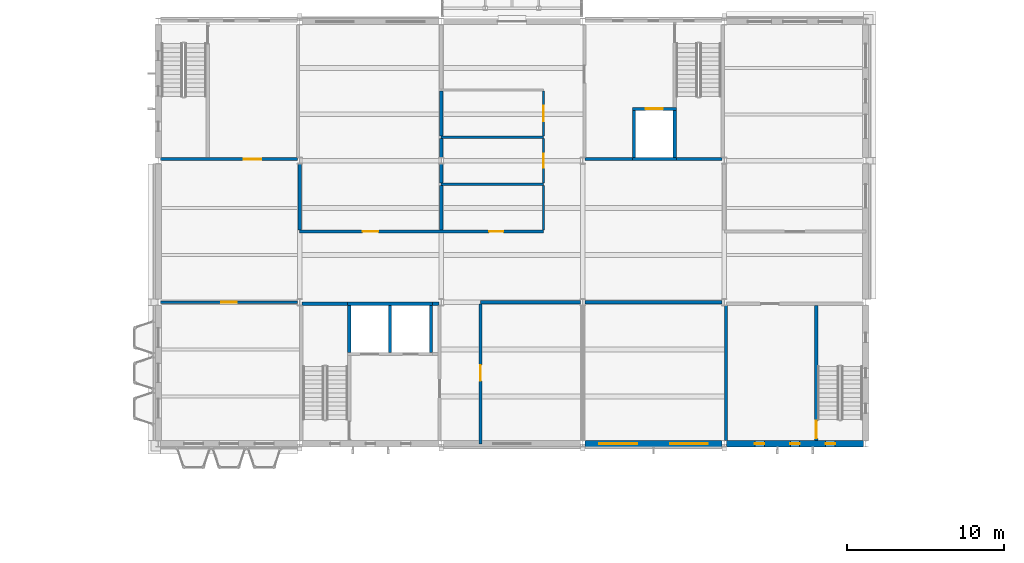
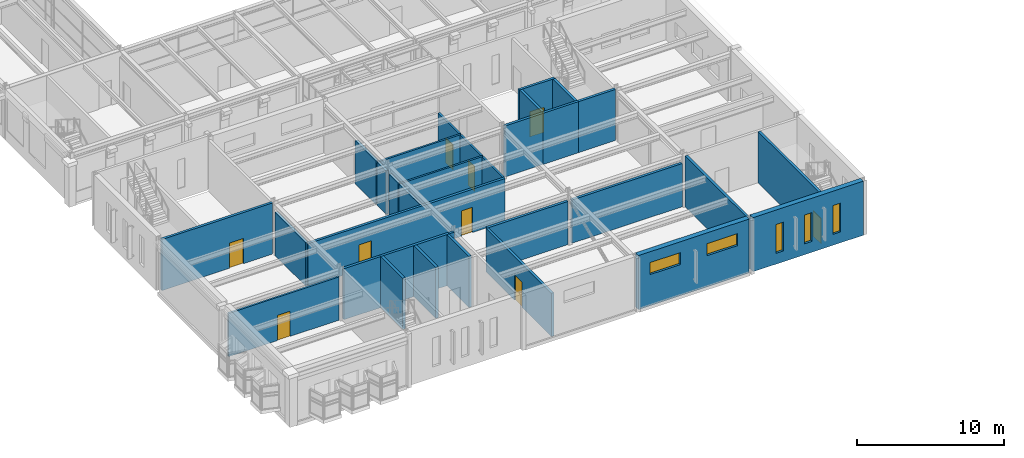
# One storey, part 95 of 153: 32 walls, 9 doors, 5 windows, 14 openings.
"""IFC4 building model written with IfcOpenShell, lengths in metres."""

from ifc_helpers import new_model, si_unit, direction, frame, frame_2d, origin, place, context, subcontext, project, spatial, rectangle, extrude, material, layer, layer_set, type_object, element, fill, save


model = new_model("IFC4")

# Units and contexts
model_context = context("Model", 3, precision=1e-05, world=origin(), true_north=direction((0.0, 1.0)))
body_context = subcontext(model_context, "Body", "Model", "MODEL_VIEW")
ifc_project = project(units=[si_unit("LENGTHUNIT", "METRE"), si_unit("AREAUNIT", "SQUARE_METRE"), si_unit("VOLUMEUNIT", "CUBIC_METRE"), si_unit("PLANEANGLEUNIT", "RADIAN"), si_unit("MASSUNIT", "GRAM", prefix="KILO")], contexts=[model_context])

# Site, building, storey
site_placement = place(None, origin())
site = spatial("IfcSite", under=ifc_project, at=site_placement, CompositionType="ELEMENT")
building_placement = place(site_placement, origin())
building = spatial("IfcBuilding", under=site, at=building_placement, Name="Kallimachos Central Library", CompositionType="ELEMENT")
storey_placement = place(building_placement, frame((0.0, 0.0, 5.39990234375)))
storey = spatial("IfcBuildingStorey", under=building, at=storey_placement, Name="L01", CompositionType="ELEMENT", Elevation=5.39990234375)

# Walls
ifc_material_1 = material(Name="Concrete C30/37", Category="concrete")
ifc_layer_1 = layer(ifc_material_1, 0.199951171875)
ifc_layer_set_1 = layer_set([ifc_layer_1], Name="Compartment wall 200")
wall_type_1 = type_object("IfcWallType", Name="Compartment wall 200", PredefinedType="SOLIDWALL", material=ifc_layer_set_1)
wall_1_placement = place(storey_placement, frame((86.0, 27.0, 0.0), z_axis=(0.0, 0.0, 1.0), x_axis=(1.0, 0.0, 0.0)))
element("IfcWall", 1, at=wall_1_placement, inside=storey, type_object=wall_type_1, Name="V5-WAL-L01-044", PredefinedType="SOLIDWALL", context=body_context, shape_type="SweptSolid", body=[
    extrude(rectangle(XDim=6.346435546875, YDim=0.199951171875, at=frame_2d((3.17333984375, 0.0))), origin(), (0.0, 0.0, 1.0), 3.60009765625),
])
wall_2_placement = place(storey_placement, frame((92.653564453125, 27.0, 0.0), z_axis=(0.0, 0.0, 1.0), x_axis=(1.0, 0.0, 0.0)))
element("IfcWall", 2, at=wall_2_placement, inside=storey, type_object=wall_type_1, Name="V5-WAL-L01-045", PredefinedType="SOLIDWALL", context=body_context, shape_type="SweptSolid", body=[
    extrude(rectangle(XDim=8.69287109375, YDim=0.199951171875, at=frame_2d((4.346435546875, 0.0))), origin(), (0.0, 0.0, 1.0), 3.60009765625),
])

# Wall, openings, doors
wall_3_placement = place(storey_placement, frame((74.5, 31.5, 0.0), z_axis=(0.0, 0.0, 1.0), x_axis=(1.0, 0.0, 0.0)))
wall_3 = element("IfcWall", 3, at=wall_3_placement, inside=storey, type_object=wall_type_1, Name="V5-WAL-L01-046", PredefinedType="SOLIDWALL", context=body_context, shape_type="SweptSolid", body=[
    extrude(rectangle(XDim=15.5, YDim=0.199951171875, at=frame_2d((7.75, 0.0))), origin(), (0.0, 0.0, 1.0), 3.60009765625),
])
opening_1_placement = place(wall_3_placement, frame((4.0, 0.0, 0.0)))
opening_1 = element("IfcOpeningElement", 4, at=opening_1_placement, cuts=wall_3, Name="Opening D104", PredefinedType="OPENING", context=body_context, shape_type="SweptSolid", body=[
    extrude(rectangle(XDim=1.0, YDim=2.10009765625, at=frame_2d((0.5, 1.050048828125))), frame((0.0, 0.10986328125, 0.0), z_axis=(0.0, -1.0, 0.0), x_axis=(1.0, 0.0, 0.0)), (0.0, 0.0, 1.0), 0.219970703125),
])
opening_2_placement = place(wall_3_placement, frame((12.050048828125, 0.0, 0.0)))
opening_2 = element("IfcOpeningElement", 5, at=opening_2_placement, cuts=wall_3, Name="Opening D105", PredefinedType="OPENING", context=body_context, shape_type="SweptSolid", body=[
    extrude(rectangle(XDim=0.89990234375, YDim=2.10009765625, at=frame_2d((0.449951171875, 1.050048828125))), frame((0.0, 0.10986328125, 0.0), z_axis=(0.0, -1.0, 0.0), x_axis=(1.0, 0.0, 0.0)), (0.0, 0.0, 1.0), 0.219970703125),
])
ifc_material_2 = material(Name="Steel fire door", Category="steel")
door_type_1 = type_object("IfcDoorType", Name="Fire door EI2 90 1000 x 2100", OperationType="NOTDEFINED", PredefinedType="DOOR", material=ifc_material_2)
door_1_placement = place(opening_1_placement, origin())
door_1 = element("IfcDoor", 6, at=door_1_placement, inside=storey, type_object=door_type_1, Name="Digitisation Room 1 door", OperationType="SINGLE_SWING_RIGHT", OverallHeight=2.10009765625, OverallWidth=1.0, PredefinedType="DOOR", context=body_context, shape_type="SweptSolid", body=[
    extrude(rectangle(XDim=1.0, YDim=2.10009765625, at=frame_2d((0.5, 1.050048828125))), frame((0.0, 0.02490234375, 0.0), z_axis=(0.0, -1.0, 0.0), x_axis=(1.0, 0.0, 0.0)), (0.0, 0.0, 1.0), 0.050048828125),
])
fill(opening_1, door_1)
ifc_material_3 = material(Name="Steel fire door", Category="steel")
door_type_2 = type_object("IfcDoorType", Name="Fire door EI2 90 900 x 2100", OperationType="NOTDEFINED", PredefinedType="DOOR", material=ifc_material_3)
door_2_placement = place(opening_2_placement, origin())
door_2 = element("IfcDoor", 7, at=door_2_placement, inside=storey, type_object=door_type_2, Name="Men's WC door", OperationType="SINGLE_SWING_LEFT", OverallHeight=2.10009765625, OverallWidth=0.89990234375, PredefinedType="DOOR", context=body_context, shape_type="SweptSolid", body=[
    extrude(rectangle(XDim=0.89990234375, YDim=2.10009765625, at=frame_2d((0.449951171875, 1.050048828125))), frame((0.0, 0.02490234375, 0.0), z_axis=(0.0, -1.0, 0.0), x_axis=(1.0, 0.0, 0.0)), (0.0, 0.0, 1.0), 0.050048828125),
])
fill(opening_2, door_2)

# Walls
wall_4_placement = place(storey_placement, frame((74.5, 31.60009765625, 0.0), z_axis=(0.0, 0.0, 1.0), x_axis=(0.0, 1.0, 0.0)))
element("IfcWall", 8, at=wall_4_placement, inside=storey, type_object=wall_type_1, Name="V5-WAL-L01-051", PredefinedType="SOLIDWALL", context=body_context, shape_type="SweptSolid", body=[
    extrude(rectangle(XDim=4.183837890625, YDim=0.199951171875, at=frame_2d((2.091796875, 0.0))), origin(), (0.0, 0.0, 1.0), 3.60009765625),
])
wall_5_placement = place(storey_placement, frame((83.5, 31.60009765625, 0.0), z_axis=(0.0, 0.0, 1.0), x_axis=(0.0, 1.0, 0.0)))
element("IfcWall", 9, at=wall_5_placement, inside=storey, type_object=wall_type_1, Name="V5-WAL-L01-052", PredefinedType="SOLIDWALL", context=body_context, shape_type="SweptSolid", body=[
    extrude(rectangle(XDim=2.824951171875, YDim=0.199951171875, at=frame_2d((1.41259765625, 0.0))), origin(), (0.0, 0.0, 1.0), 3.60009765625),
])
for number, where, z_axis, x_axis, name in (
    (10, (83.5, 34.574951171875, 0.0), (0.0, 0.0, 1.0), (0.0, 1.0, 0.0), "V5-WAL-L01-053"),
    (11, (83.5, 36.216064453125, 0.0), (0.0, 0.0, 1.0), (0.0, 1.0, 0.0), "V5-WAL-L01-054"),
):
    element("IfcWall", number, at=place(storey_placement, frame(where, z_axis=z_axis, x_axis=x_axis)), inside=storey, type_object=wall_type_1, Name=name, PredefinedType="SOLIDWALL", context=body_context, shape_type="SweptSolid", body=[
        extrude(rectangle(XDim=1.208984375, YDim=0.199951171875, at=frame_2d((0.6044921875, 0.0))), origin(), (0.0, 0.0, 1.0), 3.60009765625),
    ])
wall_6_placement = place(storey_placement, frame((83.5, 37.574951171875, 0.0), z_axis=(0.0, 0.0, 1.0), x_axis=(0.0, 1.0, 0.0)))
element("IfcWall", 12, at=wall_6_placement, inside=storey, type_object=wall_type_1, Name="V5-WAL-L01-055", PredefinedType="SOLIDWALL", context=body_context, shape_type="SweptSolid", body=[
    extrude(rectangle(XDim=2.85009765625, YDim=0.199951171875, at=frame_2d((1.425048828125, 0.0))), origin(), (0.0, 0.0, 1.0), 3.60009765625),
])

# Wall, opening, door
wall_7_placement = place(storey_placement, frame((86.0, 18.0, 0.0), z_axis=(0.0, 0.0, 1.0), x_axis=(0.0, 1.0, 0.0)))
wall_7 = element("IfcWall", 13, at=wall_7_placement, inside=storey, type_object=wall_type_1, Name="V5-WAL-L01-057", PredefinedType="SOLIDWALL", context=body_context, shape_type="SweptSolid", body=[
    extrude(rectangle(XDim=8.89990234375, YDim=0.199951171875, at=frame_2d((4.449951171875, 0.0))), origin(), (0.0, 0.0, 1.0), 3.60009765625),
])
opening_3_placement = place(wall_7_placement, frame((4.0, 0.0, 0.0)))
opening_3 = element("IfcOpeningElement", 14, at=opening_3_placement, cuts=wall_7, Name="Opening D103", PredefinedType="OPENING", context=body_context, shape_type="SweptSolid", body=[
    extrude(rectangle(XDim=1.0, YDim=2.10009765625, at=frame_2d((0.5, 1.050048828125))), frame((0.0, 0.10986328125, 0.0), z_axis=(0.0, -1.0, 0.0), x_axis=(1.0, 0.0, 0.0)), (0.0, 0.0, 1.0), 0.219970703125),
])
door_3_placement = place(opening_3_placement, frame((1.0, 0.0, 0.0), z_axis=(0.0, 0.0, 1.0), x_axis=(-1.0, 0.0, 0.0)))
door_3 = element("IfcDoor", 15, at=door_3_placement, inside=storey, type_object=door_type_1, Name="Conservation Workshop door", OperationType="SINGLE_SWING_LEFT", OverallHeight=2.10009765625, OverallWidth=1.0, PredefinedType="DOOR", context=body_context, shape_type="SweptSolid", body=[
    extrude(rectangle(XDim=1.0, YDim=2.10009765625, at=frame_2d((0.5, 1.050048828125))), frame((0.0, 0.02490234375, 0.0), z_axis=(0.0, -1.0, 0.0), x_axis=(1.0, 0.0, 0.0)), (0.0, 0.0, 1.0), 0.050048828125),
])
fill(opening_3, door_3)

# Walls
ifc_material_4 = material(Name="Concrete C30/37", Category="concrete")
ifc_layer_2 = layer(ifc_material_4, 0.199951171875)
ifc_layer_set_2 = layer_set([ifc_layer_2], Name="Core wall 200")
wall_type_2 = type_object("IfcWallType", Name="Core wall 200", PredefinedType="SOLIDWALL", material=ifc_layer_set_2)
wall_8_placement = place(storey_placement, frame((74.653564453125, 26.89990234375, 0.0), z_axis=(0.0, 0.0, 1.0), x_axis=(1.0, 0.0, 0.0)))
element("IfcWall", 16, at=wall_8_placement, inside=storey, type_object=wall_type_2, Name="V5-WAL-L01-026", PredefinedType="SOLIDWALL", context=body_context, shape_type="SweptSolid", body=[
    extrude(rectangle(XDim=2.896484375, YDim=0.199951171875, at=frame_2d((1.4482421875, 0.0))), origin(), (0.0, 0.0, 1.0), 4.25),
])
wall_9_placement = place(storey_placement, frame((82.949951171875, 26.89990234375, 0.0), z_axis=(0.0, 0.0, 1.0), x_axis=(1.0, 0.0, 0.0)))
element("IfcWall", 17, at=wall_9_placement, inside=storey, type_object=wall_type_2, Name="V5-WAL-L01-027", PredefinedType="SOLIDWALL", context=body_context, shape_type="SweptSolid", body=[
    extrude(rectangle(XDim=0.396484375, YDim=0.199951171875, at=frame_2d((0.1982421875, 0.0))), origin(), (0.0, 0.0, 1.0), 4.25),
])
wall_10_placement = place(storey_placement, frame((92.653564453125, 36.10009765625, 0.0), z_axis=(0.0, 0.0, 1.0), x_axis=(1.0, 0.0, 0.0)))
element("IfcWall", 18, at=wall_10_placement, inside=storey, type_object=wall_type_2, Name="V5-WAL-L01-032", PredefinedType="SOLIDWALL", context=body_context, shape_type="SweptSolid", body=[
    extrude(rectangle(XDim=2.996337890625, YDim=0.199951171875, at=frame_2d((1.498046875, 0.0))), origin(), (0.0, 0.0, 1.0), 4.25),
])
wall_11_placement = place(storey_placement, frame((98.449951171875, 36.10009765625, 0.0), z_axis=(0.0, 0.0, 1.0), x_axis=(1.0, 0.0, 0.0)))
element("IfcWall", 19, at=wall_11_placement, inside=storey, type_object=wall_type_2, Name="V5-WAL-L01-033", PredefinedType="SOLIDWALL", context=body_context, shape_type="SweptSolid", body=[
    extrude(rectangle(XDim=2.896484375, YDim=0.199951171875, at=frame_2d((1.4482421875, 0.0))), origin(), (0.0, 0.0, 1.0), 4.25),
])

# Wall, opening, door
wall_12_placement = place(storey_placement, frame((65.64990234375, 36.10009765625, 0.0), z_axis=(0.0, 0.0, 1.0), x_axis=(1.0, 0.0, 0.0)))
wall_12 = element("IfcWall", 20, at=wall_12_placement, inside=storey, type_object=wall_type_2, Name="V5-WAL-L01-037", PredefinedType="SOLIDWALL", context=body_context, shape_type="SweptSolid", body=[
    extrude(rectangle(XDim=8.696533203125, YDim=0.199951171875, at=frame_2d((4.34814453125, 0.0))), origin(), (0.0, 0.0, 1.0), 4.25),
])
opening_4_placement = place(wall_12_placement, frame((5.300048828125, 0.0, 0.0)))
opening_4 = element("IfcOpeningElement", 21, at=opening_4_placement, cuts=wall_12, Name="Opening D99", PredefinedType="OPENING", context=body_context, shape_type="SweptSolid", body=[
    extrude(rectangle(XDim=1.10009765625, YDim=2.10009765625, at=frame_2d((0.550048828125, 1.050048828125))), frame((0.0, 0.10986328125, 0.0), z_axis=(0.0, -1.0, 0.0), x_axis=(1.0, 0.0, 0.0)), (0.0, 0.0, 1.0), 0.219970703125),
])
ifc_material_5 = material(Name="Steel fire door", Category="steel")
door_type_3 = type_object("IfcDoorType", Name="Fire door EI2 90 1100 x 2100", OperationType="NOTDEFINED", PredefinedType="DOOR", material=ifc_material_5)
door_4_placement = place(opening_4_placement, origin())
door_4 = element("IfcDoor", 22, at=door_4_placement, inside=storey, type_object=door_type_3, Name="ST15 lobby door L01", OperationType="SINGLE_SWING_RIGHT", OverallHeight=2.10009765625, OverallWidth=1.10009765625, PredefinedType="DOOR", context=body_context, shape_type="SweptSolid", body=[
    extrude(rectangle(XDim=1.10009765625, YDim=2.10009765625, at=frame_2d((0.550048828125, 1.050048828125))), frame((0.0, 0.02490234375, 0.0), z_axis=(0.0, -1.0, 0.0), x_axis=(1.0, 0.0, 0.0)), (0.0, 0.0, 1.0), 0.050048828125),
])
fill(opening_4, door_4)

# Wall
wall_13_placement = place(storey_placement, frame((101.60009765625, 18.199951171875, 0.0), z_axis=(0.0, 0.0, 1.0), x_axis=(0.0, 1.0, 0.0)))
element("IfcWall", 23, at=wall_13_placement, inside=storey, type_object=wall_type_2, Name="V5-WAL-L01-041", PredefinedType="SOLIDWALL", context=body_context, shape_type="SweptSolid", body=[
    extrude(rectangle(XDim=8.583984375, YDim=0.199951171875, at=frame_2d((4.2919921875, 0.0))), origin(), (0.0, 0.0, 1.0), 4.25),
])

# Wall, opening, door
wall_14_placement = place(storey_placement, frame((107.35009765625, 18.199951171875, 0.0), z_axis=(0.0, 0.0, 1.0), x_axis=(0.0, 1.0, 0.0)))
wall_14 = element("IfcWall", 24, at=wall_14_placement, inside=storey, type_object=wall_type_2, Name="V5-WAL-L01-042", PredefinedType="SOLIDWALL", context=body_context, shape_type="SweptSolid", body=[
    extrude(rectangle(XDim=8.60009765625, YDim=0.199951171875, at=frame_2d((4.300048828125, 0.0))), origin(), (0.0, 0.0, 1.0), 4.25),
])
opening_5_placement = place(wall_14_placement, frame((0.14990234375, 0.0, 0.0)))
opening_5 = element("IfcOpeningElement", 25, at=opening_5_placement, cuts=wall_14, Name="Opening D100", PredefinedType="OPENING", context=body_context, shape_type="SweptSolid", body=[
    extrude(rectangle(XDim=1.10009765625, YDim=2.10009765625, at=frame_2d((0.550048828125, 1.050048828125))), frame((0.0, 0.10986328125, 0.0), z_axis=(0.0, -1.0, 0.0), x_axis=(1.0, 0.0, 0.0)), (0.0, 0.0, 1.0), 0.219970703125),
])
door_5_placement = place(opening_5_placement, frame((1.10009765625, 0.0, 0.0), z_axis=(0.0, 0.0, 1.0), x_axis=(-1.0, 0.0, 0.0)))
door_5 = element("IfcDoor", 26, at=door_5_placement, inside=storey, type_object=door_type_3, Name="ST16 stair door L01", OperationType="SINGLE_SWING_LEFT", OverallHeight=2.10009765625, OverallWidth=1.10009765625, PredefinedType="DOOR", context=body_context, shape_type="SweptSolid", body=[
    extrude(rectangle(XDim=1.10009765625, YDim=2.10009765625, at=frame_2d((0.550048828125, 1.050048828125))), frame((0.0, 0.02490234375, 0.0), z_axis=(0.0, -1.0, 0.0), x_axis=(1.0, 0.0, 0.0)), (0.0, 0.0, 1.0), 0.050048828125),
])
fill(opening_5, door_5)

ifc_material_6 = material(Name="Gypsum board partition")
ifc_layer_3 = layer(ifc_material_6, 0.14990234375)
ifc_layer_set_3 = layer_set([ifc_layer_3], Name="Fire-resisting partition 150")
wall_type_3 = type_object("IfcWallType", Name="Fire-resisting partition 150", PredefinedType="PARTITIONING", material=ifc_layer_set_3)
wall_15_placement = place(storey_placement, frame((65.64990234375, 27.0, 0.0), z_axis=(0.0, 0.0, 1.0), x_axis=(1.0, 0.0, 0.0)))
wall_15 = element("IfcWall", 27, at=wall_15_placement, inside=storey, type_object=wall_type_3, Name="V5-WAL-L01-043", PredefinedType="PARTITIONING", context=body_context, shape_type="SweptSolid", body=[
    extrude(rectangle(XDim=8.696533203125, YDim=0.14990234375, at=frame_2d((4.34814453125, 0.0))), origin(), (0.0, 0.0, 1.0), 3.60009765625),
])
opening_6_placement = place(wall_15_placement, frame((3.85009765625, 0.0, 0.0)))
opening_6 = element("IfcOpeningElement", 28, at=opening_6_placement, cuts=wall_15, Name="Opening D102", PredefinedType="OPENING", context=body_context, shape_type="SweptSolid", body=[
    extrude(rectangle(XDim=1.0, YDim=2.10009765625, at=frame_2d((0.5, 1.050048828125))), frame((0.0, 0.0849609375, 0.0), z_axis=(0.0, -1.0, 0.0), x_axis=(1.0, 0.0, 0.0)), (0.0, 0.0, 1.0), 0.169921875),
])
ifc_material_7 = material(Name="Steel fire door", Category="steel")
door_type_4 = type_object("IfcDoorType", Name="Fire door EI2 30 1000 x 2100", OperationType="NOTDEFINED", PredefinedType="DOOR", material=ifc_material_7)
door_6_placement = place(opening_6_placement, frame((1.0, 0.0, 0.0), z_axis=(0.0, 0.0, 1.0), x_axis=(-1.0, 0.0, 0.0)))
door_6 = element("IfcDoor", 29, at=door_6_placement, inside=storey, type_object=door_type_4, Name="Staff Room door", OperationType="SINGLE_SWING_LEFT", OverallHeight=2.10009765625, OverallWidth=1.0, PredefinedType="DOOR", context=body_context, shape_type="SweptSolid", body=[
    extrude(rectangle(XDim=1.0, YDim=2.10009765625, at=frame_2d((0.5, 1.050048828125))), frame((0.0, 0.02490234375, 0.0), z_axis=(0.0, -1.0, 0.0), x_axis=(1.0, 0.0, 0.0)), (0.0, 0.0, 1.0), 0.050048828125),
])
fill(opening_6, door_6)

# Walls
for number, where, z_axis, x_axis, name in (
    (30, (83.5, 34.5, 0.0), (0.0, 0.0, 1.0), (1.0, 0.0, 0.0), "V5-WAL-L01-048"),
    (31, (83.5, 37.5, 0.0), (0.0, 0.0, 1.0), (1.0, 0.0, 0.0), "V5-WAL-L01-049"),
):
    element("IfcWall", number, at=place(storey_placement, frame(where, z_axis=z_axis, x_axis=x_axis)), inside=storey, type_object=wall_type_3, Name=name, PredefinedType="PARTITIONING", context=body_context, shape_type="SweptSolid", body=[
        extrude(rectangle(XDim=6.5, YDim=0.14990234375, at=frame_2d((3.25, 0.0))), origin(), (0.0, 0.0, 1.0), 3.60009765625),
    ])
wall_16_placement = place(storey_placement, frame((90.0, 31.60009765625, 0.0), z_axis=(0.0, 0.0, 1.0), x_axis=(0.0, 1.0, 0.0)))
element("IfcWall", 32, at=wall_16_placement, inside=storey, type_object=wall_type_3, Name="V5-WAL-L01-058", PredefinedType="PARTITIONING", context=body_context, shape_type="SweptSolid", body=[
    extrude(rectangle(XDim=2.824951171875, YDim=0.14990234375, at=frame_2d((1.41259765625, 0.0))), origin(), (0.0, 0.0, 1.0), 3.60009765625),
])

# Wall, opening, door
wall_17_placement = place(storey_placement, frame((90.0, 34.574951171875, 0.0), z_axis=(0.0, 0.0, 1.0), x_axis=(0.0, 1.0, 0.0)))
wall_17 = element("IfcWall", 33, at=wall_17_placement, inside=storey, type_object=wall_type_3, Name="V5-WAL-L01-059", PredefinedType="PARTITIONING", context=body_context, shape_type="SweptSolid", body=[
    extrude(rectangle(XDim=2.85009765625, YDim=0.14990234375, at=frame_2d((1.425048828125, 0.0))), origin(), (0.0, 0.0, 1.0), 3.60009765625),
])
opening_7_placement = place(wall_17_placement, frame((0.97509765625, 0.0, 0.0)))
opening_7 = element("IfcOpeningElement", 34, at=opening_7_placement, cuts=wall_17, Name="Opening D106", PredefinedType="OPENING", context=body_context, shape_type="SweptSolid", body=[
    extrude(rectangle(XDim=0.89990234375, YDim=2.10009765625, at=frame_2d((0.449951171875, 1.050048828125))), frame((0.0, 0.0849609375, 0.0), z_axis=(0.0, -1.0, 0.0), x_axis=(1.0, 0.0, 0.0)), (0.0, 0.0, 1.0), 0.169921875),
])
ifc_material_8 = material(Name="Steel fire door", Category="steel")
door_type_5 = type_object("IfcDoorType", Name="Fire door EI2 30 900 x 2100", OperationType="NOTDEFINED", PredefinedType="DOOR", material=ifc_material_8)
door_7_placement = place(opening_7_placement, origin())
door_7 = element("IfcDoor", 35, at=door_7_placement, inside=storey, type_object=door_type_5, Name="Women's WC door", OperationType="SINGLE_SWING_RIGHT", OverallHeight=2.10009765625, OverallWidth=0.89990234375, PredefinedType="DOOR", context=body_context, shape_type="SweptSolid", body=[
    extrude(rectangle(XDim=0.89990234375, YDim=2.10009765625, at=frame_2d((0.449951171875, 1.050048828125))), frame((0.0, 0.02490234375, 0.0), z_axis=(0.0, -1.0, 0.0), x_axis=(1.0, 0.0, 0.0)), (0.0, 0.0, 1.0), 0.050048828125),
])
fill(opening_7, door_7)

wall_18_placement = place(storey_placement, frame((90.0, 37.574951171875, 0.0), z_axis=(0.0, 0.0, 1.0), x_axis=(0.0, 1.0, 0.0)))
wall_18 = element("IfcWall", 36, at=wall_18_placement, inside=storey, type_object=wall_type_3, Name="V5-WAL-L01-060", PredefinedType="PARTITIONING", context=body_context, shape_type="SweptSolid", body=[
    extrude(rectangle(XDim=2.85009765625, YDim=0.14990234375, at=frame_2d((1.425048828125, 0.0))), origin(), (0.0, 0.0, 1.0), 3.60009765625),
])
opening_8_placement = place(wall_18_placement, frame((0.925048828125, 0.0, 0.0)))
opening_8 = element("IfcOpeningElement", 37, at=opening_8_placement, cuts=wall_18, Name="Opening D107", PredefinedType="OPENING", context=body_context, shape_type="SweptSolid", body=[
    extrude(rectangle(XDim=1.0, YDim=2.10009765625, at=frame_2d((0.5, 1.050048828125))), frame((0.0, 0.0849609375, 0.0), z_axis=(0.0, -1.0, 0.0), x_axis=(1.0, 0.0, 0.0)), (0.0, 0.0, 1.0), 0.169921875),
])
door_8_placement = place(opening_8_placement, origin())
door_8 = element("IfcDoor", 38, at=door_8_placement, inside=storey, type_object=door_type_4, Name="Accessible WC door", OperationType="SINGLE_SWING_RIGHT", OverallHeight=2.10009765625, OverallWidth=1.0, PredefinedType="DOOR", context=body_context, shape_type="SweptSolid", body=[
    extrude(rectangle(XDim=1.0, YDim=2.10009765625, at=frame_2d((0.5, 1.050048828125))), frame((0.0, 0.02490234375, 0.0), z_axis=(0.0, -1.0, 0.0), x_axis=(1.0, 0.0, 0.0)), (0.0, 0.0, 1.0), 0.050048828125),
])
fill(opening_8, door_8)

# Walls
ifc_material_9 = material(Name="Concrete C30/37", Category="concrete")
ifc_layer_4 = layer(ifc_material_9, 0.199951171875)
ifc_layer_set_4 = layer_set([ifc_layer_4], Name="Lift shaft wall 200")
wall_type_4 = type_object("IfcWallType", Name="Lift shaft wall 200", PredefinedType="SOLIDWALL", material=ifc_layer_set_4)
wall_19_placement = place(storey_placement, frame((77.550048828125, 26.89990234375, 0.0), z_axis=(0.0, 0.0, 1.0), x_axis=(1.0, 0.0, 0.0)))
element("IfcWall", 39, at=wall_19_placement, inside=storey, type_object=wall_type_4, Name="V5-WAL-L01-002", PredefinedType="SOLIDWALL", context=body_context, shape_type="SweptSolid", body=[
    extrude(rectangle(XDim=5.39990234375, YDim=0.199951171875, at=frame_2d((2.699951171875, 0.0))), origin(), (0.0, 0.0, 1.0), 4.25),
])
for number, where, z_axis, x_axis, name in (
    (40, (77.64990234375, 23.800048828125, 0.0), (0.0, 0.0, 1.0), (0.0, 1.0, 0.0), "V5-WAL-L01-003"),
    (41, (80.25, 23.800048828125, 0.0), (0.0, 0.0, 1.0), (0.0, 1.0, 0.0), "V5-WAL-L01-004"),
    (42, (82.85009765625, 23.800048828125, 0.0), (0.0, 0.0, 1.0), (0.0, 1.0, 0.0), "V5-WAL-L01-005"),
):
    element("IfcWall", number, at=place(storey_placement, frame(where, z_axis=z_axis, x_axis=x_axis)), inside=storey, type_object=wall_type_4, Name=name, PredefinedType="SOLIDWALL", context=body_context, shape_type="SweptSolid", body=[
        extrude(rectangle(XDim=3.0, YDim=0.199951171875, at=frame_2d((1.5, 0.0))), origin(), (0.0, 0.0, 1.0), 4.25),
    ])
wall_20_placement = place(storey_placement, frame((95.64990234375, 36.10009765625, 0.0), z_axis=(0.0, 0.0, 1.0), x_axis=(1.0, 0.0, 0.0)))
element("IfcWall", 43, at=wall_20_placement, inside=storey, type_object=wall_type_4, Name="V5-WAL-L01-006", PredefinedType="SOLIDWALL", context=body_context, shape_type="SweptSolid", body=[
    extrude(rectangle(XDim=2.800048828125, YDim=0.199951171875, at=frame_2d((1.39990234375, 0.0))), origin(), (0.0, 0.0, 1.0), 4.25),
])

# Wall, opening, door
wall_21_placement = place(storey_placement, frame((95.64990234375, 39.300048828125, 0.0), z_axis=(0.0, 0.0, 1.0), x_axis=(1.0, 0.0, 0.0)))
wall_21 = element("IfcWall", 44, at=wall_21_placement, inside=storey, type_object=wall_type_4, Name="V5-WAL-L01-007", PredefinedType="SOLIDWALL", context=body_context, shape_type="SweptSolid", body=[
    extrude(rectangle(XDim=2.800048828125, YDim=0.199951171875, at=frame_2d((1.39990234375, 0.0))), origin(), (0.0, 0.0, 1.0), 4.25),
])
opening_9_placement = place(wall_21_placement, frame((0.85009765625, 0.0, 0.0)))
opening_9 = element("IfcOpeningElement", 45, at=opening_9_placement, cuts=wall_21, Name="Opening LD1100", PredefinedType="OPENING", context=body_context, shape_type="SweptSolid", body=[
    extrude(rectangle(XDim=1.10009765625, YDim=2.10009765625, at=frame_2d((0.550048828125, 1.050048828125))), frame((0.0, 0.10986328125, 0.0), z_axis=(0.0, -1.0, 0.0), x_axis=(1.0, 0.0, 0.0)), (0.0, 0.0, 1.0), 0.219970703125),
])
ifc_material_10 = material(Name="Stainless steel", Category="steel")
door_type_6 = type_object("IfcDoorType", Name="Lift landing door 1100 x 2100", OperationType="SLIDING_TO_LEFT", PredefinedType="DOOR", material=ifc_material_10)
door_9_placement = place(opening_9_placement, origin())
door_9 = element("IfcDoor", 46, at=door_9_placement, inside=storey, type_object=door_type_6, Name="LF13 landing door L01", OperationType="SLIDING_TO_LEFT", OverallHeight=2.10009765625, OverallWidth=1.10009765625, PredefinedType="DOOR", context=body_context, shape_type="SweptSolid", body=[
    extrude(rectangle(XDim=1.10009765625, YDim=2.10009765625, at=frame_2d((0.550048828125, 1.050048828125))), frame((0.0, 0.02490234375, 0.0), z_axis=(0.0, -1.0, 0.0), x_axis=(1.0, 0.0, 0.0)), (0.0, 0.0, 1.0), 0.050048828125),
])
fill(opening_9, door_9)

# Walls
for number, where, z_axis, x_axis, name in (
    (47, (95.75, 36.199951171875, 0.0), (0.0, 0.0, 1.0), (0.0, 1.0, 0.0), "V5-WAL-L01-008"),
    (48, (98.35009765625, 36.199951171875, 0.0), (0.0, 0.0, 1.0), (0.0, 1.0, 0.0), "V5-WAL-L01-009"),
):
    element("IfcWall", number, at=place(storey_placement, frame(where, z_axis=z_axis, x_axis=x_axis)), inside=storey, type_object=wall_type_4, Name=name, PredefinedType="SOLIDWALL", context=body_context, shape_type="SweptSolid", body=[
        extrude(rectangle(XDim=3.0, YDim=0.199951171875, at=frame_2d((1.5, 0.0))), origin(), (0.0, 0.0, 1.0), 4.25),
    ])

# Wall, openings, windows
ifc_material_11 = material(Name="Pentelic marble masonry", Category="masonry")
ifc_layer_5 = layer(ifc_material_11, 0.39990234375)
ifc_layer_set_5 = layer_set([ifc_layer_5], Name="Stone masonry wall 400")
wall_type_5 = type_object("IfcWallType", Name="Stone masonry wall 400", PredefinedType="SOLIDWALL", material=ifc_layer_set_5)
wall_22_placement = place(storey_placement, frame((92.64990234375, 18.0, 0.0), z_axis=(0.0, 0.0, 1.0), x_axis=(1.0, 0.0, 0.0)))
wall_22 = element("IfcWall", 49, at=wall_22_placement, inside=storey, type_object=wall_type_5, Name="V5-WAL-L01-013", PredefinedType="SOLIDWALL", context=body_context, shape_type="SweptSolid", body=[
    extrude(rectangle(XDim=8.7001953125, YDim=0.39990234375, at=frame_2d((4.35009765625, 0.0))), origin(), (0.0, 0.0, 1.0), 4.5),
])
opening_10_placement = place(wall_22_placement, frame((0.89990234375, 0.0, 2.60009765625)))
opening_10 = element("IfcOpeningElement", 50, at=opening_10_placement, cuts=wall_22, Name="Opening WN39", PredefinedType="OPENING", context=body_context, shape_type="SweptSolid", body=[
    extrude(rectangle(XDim=2.39990234375, YDim=1.0, at=frame_2d((1.199951171875, 0.5))), frame((0.0, 0.2099609375, 0.0), z_axis=(0.0, -1.0, 0.0), x_axis=(1.0, 0.0, 0.0)), (0.0, 0.0, 1.0), 0.419921875),
])
opening_11_placement = place(wall_22_placement, frame((5.39990234375, 0.0, 2.60009765625)))
opening_11 = element("IfcOpeningElement", 51, at=opening_11_placement, cuts=wall_22, Name="Opening WN40", PredefinedType="OPENING", context=body_context, shape_type="SweptSolid", body=[
    extrude(rectangle(XDim=2.39990234375, YDim=1.0, at=frame_2d((1.199951171875, 0.5))), frame((0.0, 0.2099609375, 0.0), z_axis=(0.0, -1.0, 0.0), x_axis=(1.0, 0.0, 0.0)), (0.0, 0.0, 1.0), 0.419921875),
])
ifc_material_12 = material(Name="Anodised aluminium and laminated glass", Category="aluminium")
window_type_1 = type_object("IfcWindowType", Name="Clerestory window 2400 x 1000", PartitioningType="SINGLE_PANEL", PredefinedType="WINDOW", material=ifc_material_12)
window_1_placement = place(opening_10_placement, origin())
window_1 = element("IfcWindow", 52, at=window_1_placement, inside=storey, type_object=window_type_1, Name="V5-WIN-L01-008", OverallHeight=1.0, OverallWidth=2.39990234375, PartitioningType="SINGLE_PANEL", PredefinedType="WINDOW", context=body_context, shape_type="SweptSolid", body=[
    extrude(rectangle(XDim=2.39990234375, YDim=1.0, at=frame_2d((1.199951171875, 0.5))), frame((0.0, 0.030029296875, 0.0), z_axis=(0.0, -1.0, 0.0), x_axis=(1.0, 0.0, 0.0)), (0.0, 0.0, 1.0), 0.06005859375),
])
fill(opening_10, window_1)
window_2_placement = place(opening_11_placement, origin())
window_2 = element("IfcWindow", 53, at=window_2_placement, inside=storey, type_object=window_type_1, Name="V5-WIN-L01-009", OverallHeight=1.0, OverallWidth=2.39990234375, PartitioningType="SINGLE_PANEL", PredefinedType="WINDOW", context=body_context, shape_type="SweptSolid", body=[
    extrude(rectangle(XDim=2.39990234375, YDim=1.0, at=frame_2d((1.199951171875, 0.5))), frame((0.0, 0.030029296875, 0.0), z_axis=(0.0, -1.0, 0.0), x_axis=(1.0, 0.0, 0.0)), (0.0, 0.0, 1.0), 0.06005859375),
])
fill(opening_11, window_2)

ifc_material_13 = material(Name="Concrete C30/37", Category="concrete")
ifc_layer_6 = layer(ifc_material_13, 0.39990234375)
ifc_layer_set_6 = layer_set([ifc_layer_6], Name="Stone-clad core wall 400")
wall_type_6 = type_object("IfcWallType", Name="Stone-clad core wall 400", PredefinedType="SOLIDWALL", material=ifc_layer_set_6)
wall_23_placement = place(storey_placement, frame((101.64990234375, 18.0, 0.0), z_axis=(0.0, 0.0, 1.0), x_axis=(1.0, 0.0, 0.0)))
wall_23 = element("IfcWall", 54, at=wall_23_placement, inside=storey, type_object=wall_type_6, Name="V5-WAL-L01-014", PredefinedType="SOLIDWALL", context=body_context, shape_type="SweptSolid", body=[
    extrude(rectangle(XDim=8.7001953125, YDim=0.39990234375, at=frame_2d((4.35009765625, 0.0))), origin(), (0.0, 0.0, 1.0), 4.5),
])
opening_12_placement = place(wall_23_placement, frame((1.800048828125, 0.0, 0.89990234375)))
opening_12 = element("IfcOpeningElement", 55, at=opening_12_placement, cuts=wall_23, Name="Opening WN41", PredefinedType="OPENING", context=body_context, shape_type="SweptSolid", body=[
    extrude(rectangle(XDim=0.60009765625, YDim=2.39990234375, at=frame_2d((0.300048828125, 1.199951171875))), frame((0.0, 0.2099609375, 0.0), z_axis=(0.0, -1.0, 0.0), x_axis=(1.0, 0.0, 0.0)), (0.0, 0.0, 1.0), 0.419921875),
])
opening_13_placement = place(wall_23_placement, frame((4.050048828125, 0.0, 0.89990234375)))
opening_13 = element("IfcOpeningElement", 56, at=opening_13_placement, cuts=wall_23, Name="Opening WN42", PredefinedType="OPENING", context=body_context, shape_type="SweptSolid", body=[
    extrude(rectangle(XDim=0.60009765625, YDim=2.39990234375, at=frame_2d((0.300048828125, 1.199951171875))), frame((0.0, 0.2099609375, 0.0), z_axis=(0.0, -1.0, 0.0), x_axis=(1.0, 0.0, 0.0)), (0.0, 0.0, 1.0), 0.419921875),
])
opening_14_placement = place(wall_23_placement, frame((6.300048828125, 0.0, 0.89990234375)))
opening_14 = element("IfcOpeningElement", 57, at=opening_14_placement, cuts=wall_23, Name="Opening WN43", PredefinedType="OPENING", context=body_context, shape_type="SweptSolid", body=[
    extrude(rectangle(XDim=0.60009765625, YDim=2.39990234375, at=frame_2d((0.300048828125, 1.199951171875))), frame((0.0, 0.2099609375, 0.0), z_axis=(0.0, -1.0, 0.0), x_axis=(1.0, 0.0, 0.0)), (0.0, 0.0, 1.0), 0.419921875),
])
ifc_material_14 = material(Name="Anodised aluminium and laminated glass", Category="aluminium")
window_type_2 = type_object("IfcWindowType", Name="Slot window 600 x 2400", PartitioningType="SINGLE_PANEL", PredefinedType="WINDOW", material=ifc_material_14)
window_3_placement = place(opening_12_placement, origin())
window_3 = element("IfcWindow", 58, at=window_3_placement, inside=storey, type_object=window_type_2, Name="V5-WIN-L01-010", OverallHeight=2.39990234375, OverallWidth=0.60009765625, PartitioningType="SINGLE_PANEL", PredefinedType="WINDOW", context=body_context, shape_type="SweptSolid", body=[
    extrude(rectangle(XDim=0.60009765625, YDim=2.39990234375, at=frame_2d((0.300048828125, 1.199951171875))), frame((0.0, 0.030029296875, 0.0), z_axis=(0.0, -1.0, 0.0), x_axis=(1.0, 0.0, 0.0)), (0.0, 0.0, 1.0), 0.06005859375),
])
fill(opening_12, window_3)
window_4_placement = place(opening_13_placement, origin())
window_4 = element("IfcWindow", 59, at=window_4_placement, inside=storey, type_object=window_type_2, Name="V5-WIN-L01-011", OverallHeight=2.39990234375, OverallWidth=0.60009765625, PartitioningType="SINGLE_PANEL", PredefinedType="WINDOW", context=body_context, shape_type="SweptSolid", body=[
    extrude(rectangle(XDim=0.60009765625, YDim=2.39990234375, at=frame_2d((0.300048828125, 1.199951171875))), frame((0.0, 0.030029296875, 0.0), z_axis=(0.0, -1.0, 0.0), x_axis=(1.0, 0.0, 0.0)), (0.0, 0.0, 1.0), 0.06005859375),
])
fill(opening_13, window_4)
window_5_placement = place(opening_14_placement, origin())
window_5 = element("IfcWindow", 60, at=window_5_placement, inside=storey, type_object=window_type_2, Name="V5-WIN-L01-012", OverallHeight=2.39990234375, OverallWidth=0.60009765625, PartitioningType="SINGLE_PANEL", PredefinedType="WINDOW", context=body_context, shape_type="SweptSolid", body=[
    extrude(rectangle(XDim=0.60009765625, YDim=2.39990234375, at=frame_2d((0.300048828125, 1.199951171875))), frame((0.0, 0.030029296875, 0.0), z_axis=(0.0, -1.0, 0.0), x_axis=(1.0, 0.0, 0.0)), (0.0, 0.0, 1.0), 0.06005859375),
])
fill(opening_14, window_5)

save(model, "model.ifc")
